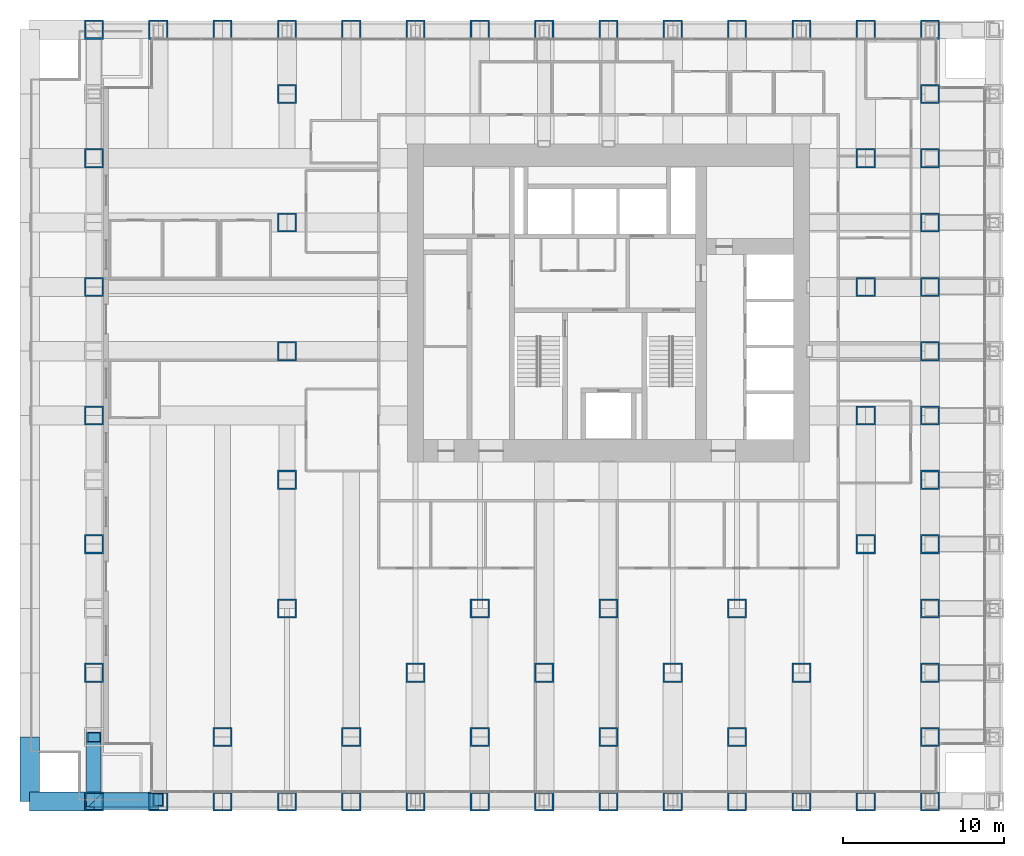
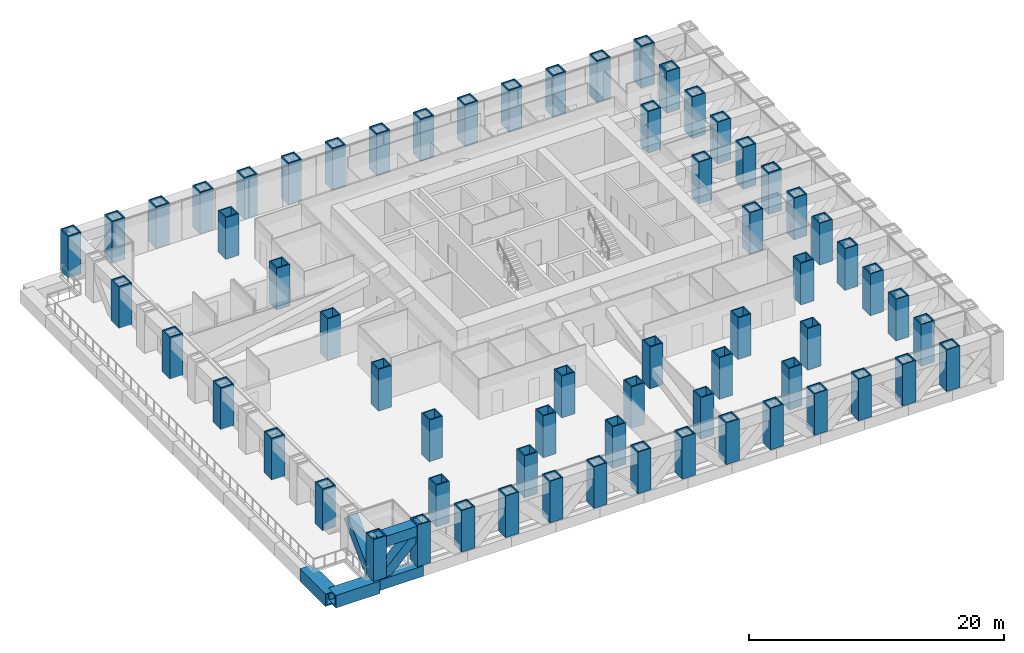
# One storey, part 1 of 18: 65 columns, 4 beams, 2 members.
"""IFC4 building model written with IfcOpenShell, lengths in metres."""

from ifc_helpers import new_model, si_unit, direction, frame, origin, origin_2d, place, context, subcontext, project, spatial, hollow_rectangle, extrude, material, material_profile, profile_set, type_object, element, save


model = new_model("IFC4")

# Units and contexts
model_context = context("Model", 3, precision=1e-05, world=origin(), true_north=direction((0.0, 1.0)))
body_context = subcontext(model_context, "Body", "Model", "MODEL_VIEW")
ifc_project = project(units=[si_unit("LENGTHUNIT", "METRE"), si_unit("AREAUNIT", "SQUARE_METRE"), si_unit("VOLUMEUNIT", "CUBIC_METRE"), si_unit("PLANEANGLEUNIT", "RADIAN"), si_unit("MASSUNIT", "GRAM", prefix="KILO")], contexts=[model_context])

# Site, building, storey
site_placement = place(None, origin())
site = spatial("IfcSite", under=ifc_project, at=site_placement, CompositionType="ELEMENT")
building_placement = place(site_placement, origin())
building = spatial("IfcBuilding", under=site, at=building_placement, Name="Rimbunsela Tower", CompositionType="ELEMENT")
storey_placement = place(building_placement, frame((0.0, 0.0, 11.0)))
storey = spatial("IfcBuildingStorey", under=building, at=storey_placement, Name="L02", CompositionType="ELEMENT", Elevation=11.0)

# Columns
ifc_material_1 = material(Name="Steel BJ 55 (fy 410 MPa)", Category="steel")
ifc_material_profile_1 = material_profile(ifc_material_1, hollow_rectangle(XDim=1.199951171875, YDim=1.199951171875, WallThickness=0.10009765625, at=origin_2d()), Name="BOX 1200x1200x100")
ifc_profile_set_1 = profile_set([ifc_material_profile_1], Name="Steel BJ 55 (fy 410 MPa)")
column_type_1 = type_object("IfcColumnType", Name="Column BOX 1200x1200x100", PredefinedType="COLUMN", material=ifc_profile_set_1)
for number, where, z_axis, x_axis, name in (
    (1, (6.0, 0.0, 0.0), (0.0, 0.0, 1.0), (1.0, 0.0, 0.0), "Column C7 4/B L02"),
    (2, (10.0, 8.0, 0.0), (0.0, 0.0, 1.0), (1.0, 0.0, 0.0), "Column C7 5/D L02"),
    (3, (10.0, 16.0, 0.0), (0.0, 0.0, 1.0), (1.0, 0.0, 0.0), "Column C7 5/F L02"),
    (4, (10.0, 24.0, 0.0), (0.0, 0.0, 1.0), (1.0, 0.0, 0.0), "Column C7 5/H L02"),
    (5, (10.0, 32.0, 0.0), (0.0, 0.0, 1.0), (1.0, 0.0, 0.0), "Column C7 5/K L02"),
    (6, (10.0, 40.0, 0.0), (0.0, 0.0, 1.0), (1.0, 0.0, 0.0), "Column C7 5/M L02"),
    (7, (14.0, 0.0, 0.0), (0.0, 0.0, 1.0), (1.0, 0.0, 0.0), "Column C7 6/B L02"),
    (8, (18.0, 4.0, 0.0), (0.0, 0.0, 1.0), (1.0, 0.0, 0.0), "Column C7 7/C L02"),
    (9, (22.0, 0.0, 0.0), (0.0, 0.0, 1.0), (1.0, 0.0, 0.0), "Column C7 8/B L02"),
    (10, (22.0, 8.0, 0.0), (0.0, 0.0, 1.0), (1.0, 0.0, 0.0), "Column C7 8/D L02"),
    (11, (26.0, 4.0, 0.0), (0.0, 0.0, 1.0), (1.0, 0.0, 0.0), "Column C7 9/C L02"),
    (12, (30.0, 0.0, 0.0), (0.0, 0.0, 1.0), (1.0, 0.0, 0.0), "Column C7 10/B L02"),
    (13, (30.0, 8.0, 0.0), (0.0, 0.0, 1.0), (1.0, 0.0, 0.0), "Column C7 10/D L02"),
    (14, (34.0, 4.0, 0.0), (0.0, 0.0, 1.0), (1.0, 0.0, 0.0), "Column C7 11/C L02"),
    (15, (38.0, 0.0, 0.0), (0.0, 0.0, 1.0), (1.0, 0.0, 0.0), "Column C7 12/B L02"),
    (16, (38.0, 8.0, 0.0), (0.0, 0.0, 1.0), (1.0, 0.0, 0.0), "Column C7 12/D L02"),
    (17, (42.0, 4.0, 0.0), (0.0, 0.0, 1.0), (1.0, 0.0, 0.0), "Column C7 13/C L02"),
    (18, (46.0, 12.0, 0.0), (0.0, 0.0, 1.0), (1.0, 0.0, 0.0), "Column C7 14/E L02"),
    (19, (46.0, 20.0, 0.0), (0.0, 0.0, 1.0), (1.0, 0.0, 0.0), "Column C7 14/G L02"),
    (20, (46.0, 28.0, 0.0), (0.0, 0.0, 1.0), (1.0, 0.0, 0.0), "Column C7 14/J L02"),
    (21, (46.0, 36.0, 0.0), (0.0, 0.0, 1.0), (1.0, 0.0, 0.0), "Column C7 14/L L02"),
):
    element("IfcColumn", number, at=place(storey_placement, frame(where, z_axis=z_axis, x_axis=x_axis)), inside=storey, type_object=column_type_1, Name=name, PredefinedType="COLUMN", context=body_context, shape_type="SweptSolid", body=[
        extrude(hollow_rectangle(XDim=1.199951171875, YDim=1.199951171875, WallThickness=0.10009765625, at=origin_2d()), origin(), (0.0, 0.0, 1.0), 4.0),
    ])
ifc_material_2 = material(Name="Steel BJ 55 (fy 410 MPa)", Category="steel")
ifc_material_profile_2 = material_profile(ifc_material_2, hollow_rectangle(XDim=1.199951171875, YDim=1.199951171875, WallThickness=0.10009765625, at=origin_2d()), Name="BOX 1200x1200x100")
ifc_profile_set_2 = profile_set([ifc_material_profile_2], Name="Steel BJ 55 (fy 410 MPa)")
column_type_2 = type_object("IfcColumnType", Name="Truss column BOX 1200x1200x100", PredefinedType="USERDEFINED", material=ifc_profile_set_2)
for number, where, z_axis, x_axis, name in (
    (22, (-2.0, -4.0, 0.0), (0.0, 0.0, 1.0), (1.0, 0.0, 0.0), "Truss column TV1 2/A L02"),
    (23, (-2.0, 4.0, 0.0), (0.0, 0.0, 1.0), (1.0, 0.0, 0.0), "Truss column TV1 2/C L02"),
    (24, (-2.0, 12.0, 0.0), (0.0, 0.0, 1.0), (1.0, 0.0, 0.0), "Truss column TV1 2/E L02"),
    (25, (-2.0, 20.0, 0.0), (0.0, 0.0, 1.0), (1.0, 0.0, 0.0), "Truss column TV1 2/G L02"),
    (26, (-2.0, 28.0, 0.0), (0.0, 0.0, 1.0), (1.0, 0.0, 0.0), "Truss column TV1 2/J L02"),
    (27, (-2.0, 36.0, 0.0), (0.0, 0.0, 1.0), (1.0, 0.0, 0.0), "Truss column TV1 2/L L02"),
    (28, (-2.0, 44.0, 0.0), (0.0, 0.0, 1.0), (1.0, 0.0, 0.0), "Truss column TV1 2/N L02"),
    (29, (2.0, -4.0, 0.0), (0.0, 0.0, 1.0), (1.0, 0.0, 0.0), "Truss column TV1 3/A L02"),
    (30, (2.0, 44.0, 0.0), (0.0, 0.0, 1.0), (1.0, 0.0, 0.0), "Truss column TV1 3/N L02"),
    (31, (6.0, -4.0, 0.0), (0.0, 0.0, 1.0), (1.0, 0.0, 0.0), "Truss column TV1 4/A L02"),
    (32, (6.0, 44.0, 0.0), (0.0, 0.0, 1.0), (1.0, 0.0, 0.0), "Truss column TV1 4/N L02"),
    (33, (10.0, -4.0, 0.0), (0.0, 0.0, 1.0), (1.0, 0.0, 0.0), "Truss column TV1 5/A L02"),
    (34, (10.0, 44.0, 0.0), (0.0, 0.0, 1.0), (1.0, 0.0, 0.0), "Truss column TV1 5/N L02"),
    (35, (14.0, -4.0, 0.0), (0.0, 0.0, 1.0), (1.0, 0.0, 0.0), "Truss column TV1 6/A L02"),
    (36, (14.0, 44.0, 0.0), (0.0, 0.0, 1.0), (1.0, 0.0, 0.0), "Truss column TV1 6/N L02"),
    (37, (18.0, -4.0, 0.0), (0.0, 0.0, 1.0), (1.0, 0.0, 0.0), "Truss column TV1 7/A L02"),
    (38, (18.0, 44.0, 0.0), (0.0, 0.0, 1.0), (1.0, 0.0, 0.0), "Truss column TV1 7/N L02"),
    (39, (22.0, -4.0, 0.0), (0.0, 0.0, 1.0), (1.0, 0.0, 0.0), "Truss column TV1 8/A L02"),
    (40, (22.0, 44.0, 0.0), (0.0, 0.0, 1.0), (1.0, 0.0, 0.0), "Truss column TV1 8/N L02"),
    (41, (26.0, -4.0, 0.0), (0.0, 0.0, 1.0), (1.0, 0.0, 0.0), "Truss column TV1 9/A L02"),
    (42, (26.0, 44.0, 0.0), (0.0, 0.0, 1.0), (1.0, 0.0, 0.0), "Truss column TV1 9/N L02"),
    (43, (30.0, -4.0, 0.0), (0.0, 0.0, 1.0), (1.0, 0.0, 0.0), "Truss column TV1 10/A L02"),
    (44, (30.0, 44.0, 0.0), (0.0, 0.0, 1.0), (1.0, 0.0, 0.0), "Truss column TV1 10/N L02"),
    (45, (34.0, -4.0, 0.0), (0.0, 0.0, 1.0), (1.0, 0.0, 0.0), "Truss column TV1 11/A L02"),
    (46, (34.0, 44.0, 0.0), (0.0, 0.0, 1.0), (1.0, 0.0, 0.0), "Truss column TV1 11/N L02"),
    (47, (38.0, -4.0, 0.0), (0.0, 0.0, 1.0), (1.0, 0.0, 0.0), "Truss column TV1 12/A L02"),
    (48, (38.0, 44.0, 0.0), (0.0, 0.0, 1.0), (1.0, 0.0, 0.0), "Truss column TV1 12/N L02"),
    (49, (42.0, -4.0, 0.0), (0.0, 0.0, 1.0), (1.0, 0.0, 0.0), "Truss column TV1 13/A L02"),
    (50, (42.0, 44.0, 0.0), (0.0, 0.0, 1.0), (1.0, 0.0, 0.0), "Truss column TV1 13/N L02"),
    (51, (46.0, -4.0, 0.0), (0.0, 0.0, 1.0), (1.0, 0.0, 0.0), "Truss column TV1 14/A L02"),
    (52, (46.0, 44.0, 0.0), (0.0, 0.0, 1.0), (1.0, 0.0, 0.0), "Truss column TV1 14/N L02"),
    (53, (50.0, -4.0, 0.0), (0.0, 0.0, 1.0), (1.0, 0.0, 0.0), "Truss column TV1 15/A L02"),
    (54, (50.0, 44.0, 0.0), (0.0, 0.0, 1.0), (1.0, 0.0, 0.0), "Truss column TV1 15/N L02"),
    (55, (50.0, 0.0, 0.0), (0.0, 0.0, 1.0), (1.0, 0.0, 0.0), "Truss column TV1 15/B L02"),
    (56, (50.0, 4.0, 0.0), (0.0, 0.0, 1.0), (1.0, 0.0, 0.0), "Truss column TV1 15/C L02"),
    (57, (50.0, 8.0, 0.0), (0.0, 0.0, 1.0), (1.0, 0.0, 0.0), "Truss column TV1 15/D L02"),
    (58, (50.0, 12.0, 0.0), (0.0, 0.0, 1.0), (1.0, 0.0, 0.0), "Truss column TV1 15/E L02"),
    (59, (50.0, 16.0, 0.0), (0.0, 0.0, 1.0), (1.0, 0.0, 0.0), "Truss column TV1 15/F L02"),
    (60, (50.0, 20.0, 0.0), (0.0, 0.0, 1.0), (1.0, 0.0, 0.0), "Truss column TV1 15/G L02"),
    (61, (50.0, 24.0, 0.0), (0.0, 0.0, 1.0), (1.0, 0.0, 0.0), "Truss column TV1 15/H L02"),
    (62, (50.0, 28.0, 0.0), (0.0, 0.0, 1.0), (1.0, 0.0, 0.0), "Truss column TV1 15/J L02"),
    (63, (50.0, 32.0, 0.0), (0.0, 0.0, 1.0), (1.0, 0.0, 0.0), "Truss column TV1 15/K L02"),
    (64, (50.0, 36.0, 0.0), (0.0, 0.0, 1.0), (1.0, 0.0, 0.0), "Truss column TV1 15/L L02"),
    (65, (50.0, 40.0, 0.0), (0.0, 0.0, 1.0), (1.0, 0.0, 0.0), "Truss column TV1 15/M L02"),
):
    element("IfcColumn", number, at=place(storey_placement, frame(where, z_axis=z_axis, x_axis=x_axis)), inside=storey, type_object=column_type_2, Name=name, ObjectType="TRUSS POST", PredefinedType="USERDEFINED", context=body_context, shape_type="SweptSolid", body=[
        extrude(hollow_rectangle(XDim=1.199951171875, YDim=1.199951171875, WallThickness=0.10009765625, at=origin_2d()), origin(), (0.0, 0.0, 1.0), 4.0),
    ])

# Beams
ifc_material_3 = material(Name="Steel BJ 55 (fy 410 MPa)", Category="steel")
ifc_material_profile_3 = material_profile(ifc_material_3, hollow_rectangle(XDim=1.199951171875, YDim=1.199951171875, WallThickness=0.125, at=origin_2d()), Name="BOX 1200x1200x125")
ifc_profile_set_3 = profile_set([ifc_material_profile_3], Name="Steel BJ 55 (fy 410 MPa)")
beam_type_1 = type_object("IfcBeamType", Name="Beam BOX 1200x1200x125", PredefinedType="BEAM", material=ifc_profile_set_3)
for number, where, z_axis, x_axis, name in (
    (66, (-6.0, -4.0, -0.75), (0.0, 1.0, 0.0), (-1.0, 0.0, 0.0), "Beam B4 L02"),
    (67, (-6.0, -4.0, -0.75), (1.0, 0.0, 0.0), (0.0, 1.0, 0.0), "Beam B4 L02"),
):
    element("IfcBeam", number, at=place(storey_placement, frame(where, z_axis=z_axis, x_axis=x_axis)), inside=storey, type_object=beam_type_1, Name=name, PredefinedType="BEAM", context=body_context, shape_type="SweptSolid", body=[
        extrude(hollow_rectangle(XDim=1.199951171875, YDim=1.199951171875, WallThickness=0.125, at=origin_2d()), origin(), (0.0, 0.0, 1.0), 4.0),
    ])
ifc_material_4 = material(Name="Steel BJ 55 (fy 410 MPa)", Category="steel")
ifc_material_profile_4 = material_profile(ifc_material_4, hollow_rectangle(XDim=1.0, YDim=1.0, WallThickness=0.10009765625, at=origin_2d()), Name="BOX 1000x1000x100")
ifc_profile_set_4 = profile_set([ifc_material_profile_4], Name="Steel BJ 55 (fy 410 MPa)")
beam_type_2 = type_object("IfcBeamType", Name="Truss chord BOX 1000x1000x100", PredefinedType="USERDEFINED", material=ifc_profile_set_4)
for number, where, z_axis, x_axis, name in (
    (68, (-2.0, -4.0, 3.35009765625), (1.0, 0.0, 0.0), (0.0, 1.0, 0.0), "Truss top chord TC1 S face L02"),
    (69, (-2.0, -4.0, -0.64990234375), (1.0, 0.0, 0.0), (0.0, 1.0, 0.0), "Truss bottom chord TC1 S face L02"),
):
    element("IfcBeam", number, at=place(storey_placement, frame(where, z_axis=z_axis, x_axis=x_axis)), inside=storey, type_object=beam_type_2, Name=name, ObjectType="TRUSS CHORD", PredefinedType="USERDEFINED", context=body_context, shape_type="SweptSolid", body=[
        extrude(hollow_rectangle(XDim=1.0, YDim=1.0, WallThickness=0.10009765625, at=origin_2d()), origin(), (0.0, 0.0, 1.0), 4.0),
    ])

# Members
ifc_material_5 = material(Name="Steel BJ 55 (fy 410 MPa)", Category="steel")
ifc_material_profile_5 = material_profile(ifc_material_5, hollow_rectangle(XDim=0.89990234375, YDim=0.89990234375, WallThickness=0.080078125, at=origin_2d()), Name="BOX 900x900x80")
ifc_profile_set_5 = profile_set([ifc_material_profile_5], Name="Steel BJ 55 (fy 410 MPa)")
member_type = type_object("IfcMemberType", Name="Truss diagonal BOX 900x900x80", PredefinedType="BRACE", material=ifc_profile_set_5)
for number, where, z_axis, x_axis, name in (
    (70, (-2.0, -3.89990234375, -0.64990234375), (0.707106781187, 0.0, 0.707106781187), (0.0, 1.0, 0.0), "Truss diagonal TD1 S face L02"),
    (71, (-2.0, -4.0, -0.64990234375), (0.0, 0.707106781187, 0.707106781187), (-1.0, 0.0, 0.0), "Truss diagonal TD1 W face L02"),
):
    element("IfcMember", number, at=place(storey_placement, frame(where, z_axis=z_axis, x_axis=x_axis)), inside=storey, type_object=member_type, Name=name, PredefinedType="BRACE", context=body_context, shape_type="SweptSolid", body=[
        extrude(hollow_rectangle(XDim=0.89990234375, YDim=0.89990234375, WallThickness=0.080078125, at=origin_2d()), origin(), (0.0, 0.0, 1.0), 5.65673828125),
    ])

save(model, "model.ifc")
